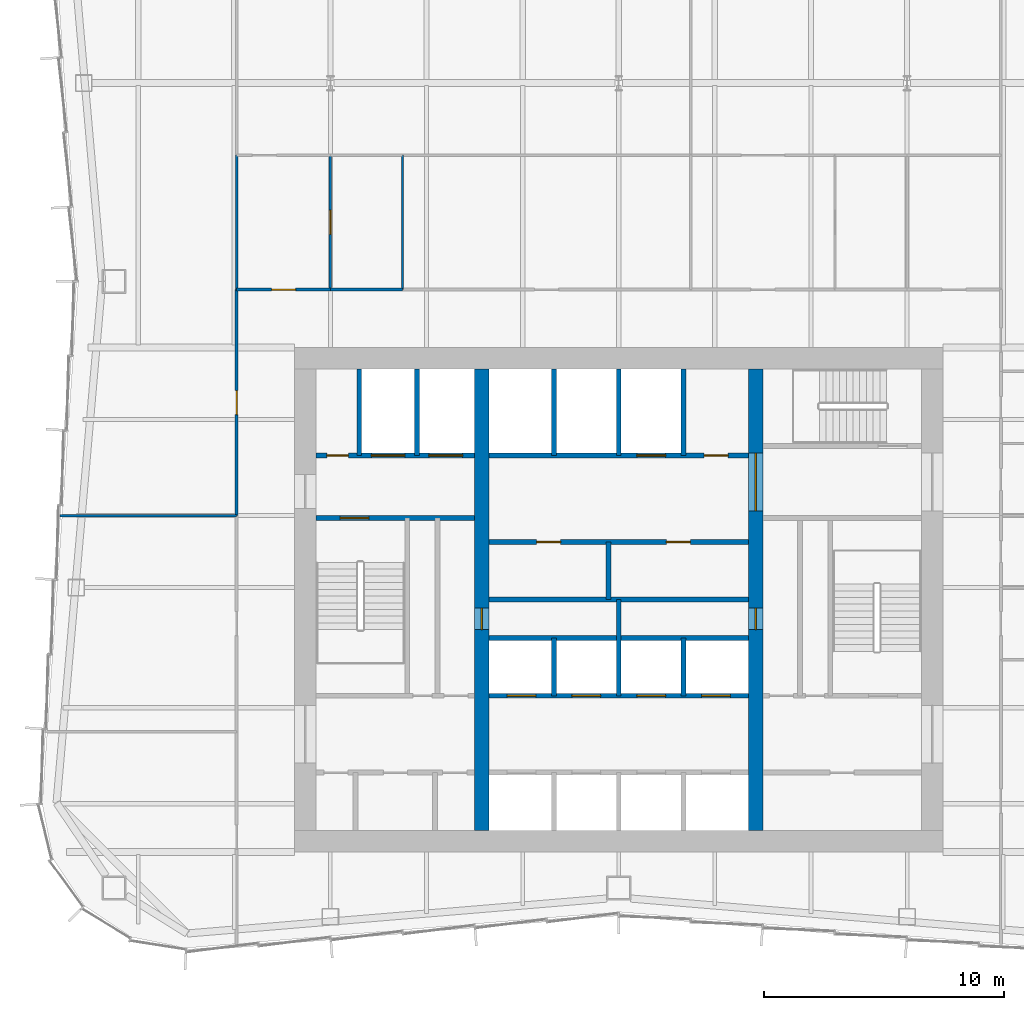
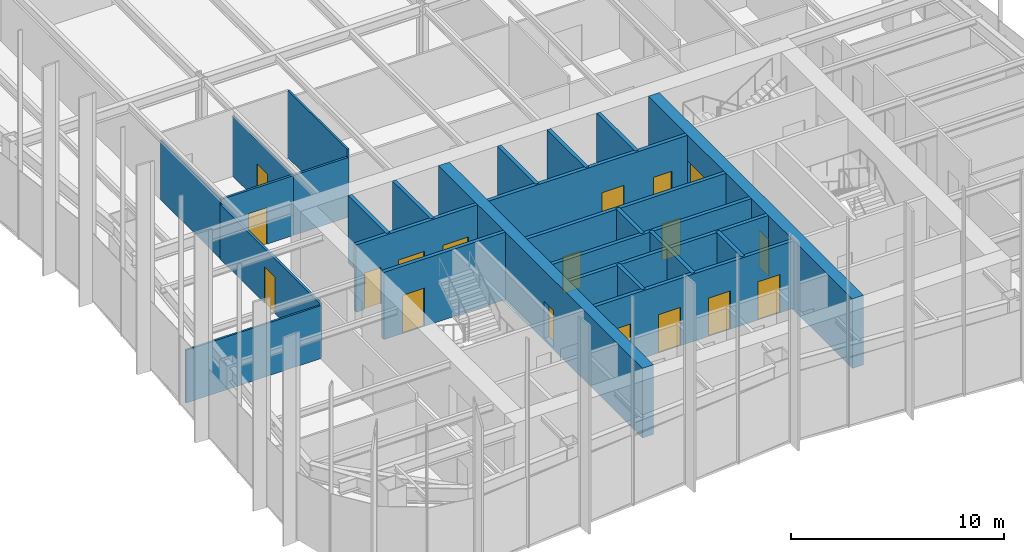
# One storey, part 10 of 13: 25 walls, 18 doors, 18 openings.
"""IFC4 building model written with IfcOpenShell, lengths in metres."""

from ifc_helpers import new_model, si_unit, direction, frame, frame_2d, origin, place, context, subcontext, project, spatial, rectangle, extrude, material, layer, layer_set, type_object, element, fill, save


model = new_model("IFC4")

# Units and contexts
model_context = context("Model", 3, precision=1e-05, world=origin(), true_north=direction((0.0, 1.0)))
body_context = subcontext(model_context, "Body", "Model", "MODEL_VIEW")
ifc_project = project(units=[si_unit("LENGTHUNIT", "METRE"), si_unit("AREAUNIT", "SQUARE_METRE"), si_unit("VOLUMEUNIT", "CUBIC_METRE"), si_unit("PLANEANGLEUNIT", "RADIAN"), si_unit("MASSUNIT", "GRAM", prefix="KILO")], contexts=[model_context])

# Site, building, storey
site_placement = place(None, origin())
site = spatial("IfcSite", under=ifc_project, at=site_placement, CompositionType="ELEMENT")
building_placement = place(site_placement, origin())
building = spatial("IfcBuilding", under=site, at=building_placement, Name="Verdant Reach Tower", CompositionType="ELEMENT")
storey_placement = place(building_placement, frame((0.0, 0.0, 206.0)))
storey = spatial("IfcBuildingStorey", under=building, at=storey_placement, Name="L47", CompositionType="ELEMENT", Elevation=206.0)

# Wall
ifc_material_1 = material(Name="Gypsum board on steel studs", Category="steel")
ifc_layer_1 = layer(ifc_material_1, 0.199951171875)
ifc_layer_set_1 = layer_set([ifc_layer_1], Name="CO-WALL-ROOM")
wall_type_1 = type_object("IfcWallType", Name="CO-WALL-ROOM", PredefinedType="PARTITIONING", material=ifc_layer_set_1)
wall_1_placement = place(storey_placement, frame((-5.39990234375, 28.0, 0.0), z_axis=(0.0, 0.0, 1.0), x_axis=(1.0, 0.0, 0.0)))
element("IfcWall", 1, at=wall_1_placement, inside=storey, type_object=wall_type_1, Name="Core partition, L47", PredefinedType="PARTITIONING", context=body_context, shape_type="SweptSolid", body=[
    extrude(rectangle(XDim=10.7998046875, YDim=0.199951171875, at=frame_2d((5.39990234375, 0.0))), origin(), (0.0, 0.0, 1.0), 3.8701171875),
])

# Wall, openings, doors
wall_2_placement = place(storey_placement, frame((-5.39990234375, 30.39990234375, 0.0), z_axis=(0.0, 0.0, 1.0), x_axis=(1.0, 0.0, 0.0)))
wall_2 = element("IfcWall", 2, at=wall_2_placement, inside=storey, type_object=wall_type_1, Name="Core partition, L47", PredefinedType="PARTITIONING", context=body_context, shape_type="SweptSolid", body=[
    extrude(rectangle(XDim=10.7998046875, YDim=0.199951171875, at=frame_2d((5.39990234375, 0.0))), origin(), (0.0, 0.0, 1.0), 3.8701171875),
])
opening_1_placement = place(wall_2_placement, frame((1.98388671875, 0.0, 0.0)))
opening_1 = element("IfcOpeningElement", 3, at=opening_1_placement, cuts=wall_2, Name="Opening CD", PredefinedType="OPENING", context=body_context, shape_type="SweptSolid", body=[
    extrude(rectangle(XDim=1.0, YDim=2.10009765625, at=frame_2d((0.5, 1.050048828125))), frame((0.0, 0.10986328125, 0.0), z_axis=(0.0, -1.0, 0.0), x_axis=(1.0, 0.0, 0.0)), (0.0, 0.0, 1.0), 0.219970703125),
])
opening_2_placement = place(wall_2_placement, frame((7.384033203125, 0.0, 0.0)))
opening_2 = element("IfcOpeningElement", 4, at=opening_2_placement, cuts=wall_2, Name="Opening CD", PredefinedType="OPENING", context=body_context, shape_type="SweptSolid", body=[
    extrude(rectangle(XDim=1.0, YDim=2.10009765625, at=frame_2d((0.5, 1.050048828125))), frame((0.0, 0.10986328125, 0.0), z_axis=(0.0, -1.0, 0.0), x_axis=(1.0, 0.0, 0.0)), (0.0, 0.0, 1.0), 0.219970703125),
])
ifc_material_2 = material(Name="Timber", Category="wood")
door_type_1 = type_object("IfcDoorType", Name="CO-DOOR-ROOM", OperationType="NOTDEFINED", PredefinedType="DOOR", material=ifc_material_2)
door_1_placement = place(opening_1_placement, origin())
door_1 = element("IfcDoor", 5, at=door_1_placement, inside=storey, type_object=door_type_1, Name="Core room door, L47", OperationType="SINGLE_SWING_LEFT", OverallHeight=2.10009765625, OverallWidth=1.0, PredefinedType="DOOR", context=body_context, shape_type="SweptSolid", body=[
    extrude(rectangle(XDim=1.0, YDim=2.10009765625, at=frame_2d((0.5, 1.050048828125))), frame((0.0, 0.02490234375, 0.0), z_axis=(0.0, -1.0, 0.0), x_axis=(1.0, 0.0, 0.0)), (0.0, 0.0, 1.0), 0.050048828125),
])
fill(opening_1, door_1)
door_2_placement = place(opening_2_placement, origin())
door_2 = element("IfcDoor", 6, at=door_2_placement, inside=storey, type_object=door_type_1, Name="Core room door, L47", OperationType="SINGLE_SWING_RIGHT", OverallHeight=2.10009765625, OverallWidth=1.0, PredefinedType="DOOR", context=body_context, shape_type="SweptSolid", body=[
    extrude(rectangle(XDim=1.0, YDim=2.10009765625, at=frame_2d((0.5, 1.050048828125))), frame((0.0, 0.02490234375, 0.0), z_axis=(0.0, -1.0, 0.0), x_axis=(1.0, 0.0, 0.0)), (0.0, 0.0, 1.0), 0.050048828125),
])
fill(opening_2, door_2)

# Wall
wall_3_placement = place(storey_placement, frame((-0.431884765625, 28.0, 0.0), z_axis=(0.0, 0.0, 1.0), x_axis=(0.0, 1.0, 0.0)))
element("IfcWall", 7, at=wall_3_placement, inside=storey, type_object=wall_type_1, Name="Core partition, L47", PredefinedType="PARTITIONING", context=body_context, shape_type="SweptSolid", body=[
    extrude(rectangle(XDim=2.39990234375, YDim=0.199951171875, at=frame_2d((1.199951171875, 0.0))), origin(), (0.0, 0.0, 1.0), 3.8701171875),
])

# Wall, openings, doors
ifc_material_3 = material(Name="Concrete C40/50", Category="concrete")
ifc_layer_2 = layer(ifc_material_3, 0.199951171875)
ifc_layer_set_2 = layer_set([ifc_layer_2], Name="CO-WALL-SHAFT")
wall_type_2 = type_object("IfcWallType", Name="CO-WALL-SHAFT", PredefinedType="PARTITIONING", material=ifc_layer_set_2)
wall_4_placement = place(storey_placement, frame((-5.39990234375, 24.0, 0.0), z_axis=(0.0, 0.0, 1.0), x_axis=(1.0, 0.0, 0.0)))
wall_4 = element("IfcWall", 8, at=wall_4_placement, inside=storey, type_object=wall_type_2, Name="Lift shaft wall, L47", PredefinedType="PARTITIONING", context=body_context, shape_type="SweptSolid", body=[
    extrude(rectangle(XDim=10.7998046875, YDim=0.199951171875, at=frame_2d((5.39990234375, 0.0))), origin(), (0.0, 0.0, 1.0), 3.8701171875),
])
opening_3_placement = place(wall_4_placement, frame((0.75, 0.0, 0.0)))
opening_3 = element("IfcOpeningElement", 9, at=opening_3_placement, cuts=wall_4, Name="Opening LD-A5", PredefinedType="OPENING", context=body_context, shape_type="SweptSolid", body=[
    extrude(rectangle(XDim=1.199951171875, YDim=2.199951171875, at=frame_2d((0.60009765625, 1.10009765625))), frame((0.0, 0.10986328125, 0.0), z_axis=(0.0, -1.0, 0.0), x_axis=(1.0, 0.0, 0.0)), (0.0, 0.0, 1.0), 0.219970703125),
])
opening_4_placement = place(wall_4_placement, frame((3.449951171875, 0.0, 0.0)))
opening_4 = element("IfcOpeningElement", 10, at=opening_4_placement, cuts=wall_4, Name="Opening LD-A6", PredefinedType="OPENING", context=body_context, shape_type="SweptSolid", body=[
    extrude(rectangle(XDim=1.199951171875, YDim=2.199951171875, at=frame_2d((0.60009765625, 1.10009765625))), frame((0.0, 0.10986328125, 0.0), z_axis=(0.0, -1.0, 0.0), x_axis=(1.0, 0.0, 0.0)), (0.0, 0.0, 1.0), 0.219970703125),
])
opening_5_placement = place(wall_4_placement, frame((6.14990234375, 0.0, 0.0)))
opening_5 = element("IfcOpeningElement", 11, at=opening_5_placement, cuts=wall_4, Name="Opening LD-A7", PredefinedType="OPENING", context=body_context, shape_type="SweptSolid", body=[
    extrude(rectangle(XDim=1.199951171875, YDim=2.199951171875, at=frame_2d((0.60009765625, 1.10009765625))), frame((0.0, 0.10986328125, 0.0), z_axis=(0.0, -1.0, 0.0), x_axis=(1.0, 0.0, 0.0)), (0.0, 0.0, 1.0), 0.219970703125),
])
opening_6_placement = place(wall_4_placement, frame((8.85009765625, 0.0, 0.0)))
opening_6 = element("IfcOpeningElement", 12, at=opening_6_placement, cuts=wall_4, Name="Opening LD-A8", PredefinedType="OPENING", context=body_context, shape_type="SweptSolid", body=[
    extrude(rectangle(XDim=1.199951171875, YDim=2.199951171875, at=frame_2d((0.60009765625, 1.10009765625))), frame((0.0, 0.10986328125, 0.0), z_axis=(0.0, -1.0, 0.0), x_axis=(1.0, 0.0, 0.0)), (0.0, 0.0, 1.0), 0.219970703125),
])
ifc_material_4 = material(Name="Stainless steel", Category="steel")
door_type_2 = type_object("IfcDoorType", Name="CO-DOOR-LANDING", OperationType="SLIDING_TO_LEFT", PredefinedType="DOOR", material=ifc_material_4)
door_3_placement = place(opening_3_placement, origin())
door_3 = element("IfcDoor", 13, at=door_3_placement, inside=storey, type_object=door_type_2, Name="Landing door A5, L47", OperationType="SLIDING_TO_LEFT", OverallHeight=2.199951171875, OverallWidth=1.199951171875, PredefinedType="DOOR", context=body_context, shape_type="SweptSolid", body=[
    extrude(rectangle(XDim=1.199951171875, YDim=2.199951171875, at=frame_2d((0.60009765625, 1.10009765625))), frame((0.0, 0.02490234375, 0.0), z_axis=(0.0, -1.0, 0.0), x_axis=(1.0, 0.0, 0.0)), (0.0, 0.0, 1.0), 0.050048828125),
])
fill(opening_3, door_3)
door_4_placement = place(opening_4_placement, origin())
door_4 = element("IfcDoor", 14, at=door_4_placement, inside=storey, type_object=door_type_2, Name="Landing door A6, L47", OperationType="SLIDING_TO_LEFT", OverallHeight=2.199951171875, OverallWidth=1.199951171875, PredefinedType="DOOR", context=body_context, shape_type="SweptSolid", body=[
    extrude(rectangle(XDim=1.199951171875, YDim=2.199951171875, at=frame_2d((0.60009765625, 1.10009765625))), frame((0.0, 0.02490234375, 0.0), z_axis=(0.0, -1.0, 0.0), x_axis=(1.0, 0.0, 0.0)), (0.0, 0.0, 1.0), 0.050048828125),
])
fill(opening_4, door_4)
door_5_placement = place(opening_5_placement, origin())
door_5 = element("IfcDoor", 15, at=door_5_placement, inside=storey, type_object=door_type_2, Name="Landing door A7, L47", OperationType="SLIDING_TO_LEFT", OverallHeight=2.199951171875, OverallWidth=1.199951171875, PredefinedType="DOOR", context=body_context, shape_type="SweptSolid", body=[
    extrude(rectangle(XDim=1.199951171875, YDim=2.199951171875, at=frame_2d((0.60009765625, 1.10009765625))), frame((0.0, 0.02490234375, 0.0), z_axis=(0.0, -1.0, 0.0), x_axis=(1.0, 0.0, 0.0)), (0.0, 0.0, 1.0), 0.050048828125),
])
fill(opening_5, door_5)
door_6_placement = place(opening_6_placement, origin())
door_6 = element("IfcDoor", 16, at=door_6_placement, inside=storey, type_object=door_type_2, Name="Landing door A8, L47", OperationType="SLIDING_TO_LEFT", OverallHeight=2.199951171875, OverallWidth=1.199951171875, PredefinedType="DOOR", context=body_context, shape_type="SweptSolid", body=[
    extrude(rectangle(XDim=1.199951171875, YDim=2.199951171875, at=frame_2d((0.60009765625, 1.10009765625))), frame((0.0, 0.02490234375, 0.0), z_axis=(0.0, -1.0, 0.0), x_axis=(1.0, 0.0, 0.0)), (0.0, 0.0, 1.0), 0.050048828125),
])
fill(opening_6, door_6)

# Wall
wall_5_placement = place(storey_placement, frame((-5.39990234375, 26.39990234375, 0.0), z_axis=(0.0, 0.0, 1.0), x_axis=(1.0, 0.0, 0.0)))
element("IfcWall", 17, at=wall_5_placement, inside=storey, type_object=wall_type_2, Name="Lift shaft wall, L47", PredefinedType="PARTITIONING", context=body_context, shape_type="SweptSolid", body=[
    extrude(rectangle(XDim=10.7998046875, YDim=0.199951171875, at=frame_2d((5.39990234375, 0.0))), origin(), (0.0, 0.0, 1.0), 3.8701171875),
])

# Wall, openings, doors
wall_6_placement = place(storey_placement, frame((-12.60009765625, 34.0, 0.0), z_axis=(0.0, 0.0, 1.0), x_axis=(1.0, 0.0, 0.0)))
wall_6 = element("IfcWall", 18, at=wall_6_placement, inside=storey, type_object=wall_type_2, Name="Lift shaft wall, L47", PredefinedType="PARTITIONING", context=body_context, shape_type="SweptSolid", body=[
    extrude(rectangle(XDim=6.60009765625, YDim=0.199951171875, at=frame_2d((3.300048828125, 0.0))), origin(), (0.0, 0.0, 1.0), 3.8701171875),
])
opening_7_placement = place(wall_6_placement, frame((4.699951171875, 0.0, 0.0)))
opening_7 = element("IfcOpeningElement", 19, at=opening_7_placement, cuts=wall_6, Name="Opening LD-F1", PredefinedType="OPENING", context=body_context, shape_type="SweptSolid", body=[
    extrude(rectangle(XDim=1.39990234375, YDim=2.199951171875, at=frame_2d((0.699951171875, 1.10009765625))), frame((0.0, 0.10986328125, 0.0), z_axis=(0.0, -1.0, 0.0), x_axis=(1.0, 0.0, 0.0)), (0.0, 0.0, 1.0), 0.219970703125),
])
opening_8_placement = place(wall_6_placement, frame((2.300048828125, 0.0, 0.0)))
opening_8 = element("IfcOpeningElement", 20, at=opening_8_placement, cuts=wall_6, Name="Opening LD-F2", PredefinedType="OPENING", context=body_context, shape_type="SweptSolid", body=[
    extrude(rectangle(XDim=1.39990234375, YDim=2.199951171875, at=frame_2d((0.699951171875, 1.10009765625))), frame((0.0, 0.10986328125, 0.0), z_axis=(0.0, -1.0, 0.0), x_axis=(1.0, 0.0, 0.0)), (0.0, 0.0, 1.0), 0.219970703125),
])
opening_9_placement = place(wall_6_placement, frame((0.449951171875, 0.0, 0.0)))
opening_9 = element("IfcOpeningElement", 21, at=opening_9_placement, cuts=wall_6, Name="Opening RD", PredefinedType="OPENING", context=body_context, shape_type="SweptSolid", body=[
    extrude(rectangle(XDim=0.89990234375, YDim=2.10009765625, at=frame_2d((0.449951171875, 1.050048828125))), frame((0.0, 0.10986328125, 0.0), z_axis=(0.0, -1.0, 0.0), x_axis=(1.0, 0.0, 0.0)), (0.0, 0.0, 1.0), 0.219970703125),
])
door_type_3 = type_object("IfcDoorType", Name="CO-DOOR-LANDING-FF", OperationType="SLIDING_TO_LEFT", PredefinedType="DOOR", material=ifc_material_4)
door_7_placement = place(opening_7_placement, origin())
door_7 = element("IfcDoor", 22, at=door_7_placement, inside=storey, type_object=door_type_3, Name="Landing door F1, L47", OperationType="SLIDING_TO_LEFT", OverallHeight=2.199951171875, OverallWidth=1.39990234375, PredefinedType="DOOR", context=body_context, shape_type="SweptSolid", body=[
    extrude(rectangle(XDim=1.39990234375, YDim=2.199951171875, at=frame_2d((0.699951171875, 1.10009765625))), frame((0.0, 0.02490234375, 0.0), z_axis=(0.0, -1.0, 0.0), x_axis=(1.0, 0.0, 0.0)), (0.0, 0.0, 1.0), 0.050048828125),
])
fill(opening_7, door_7)
door_8_placement = place(opening_8_placement, origin())
door_8 = element("IfcDoor", 23, at=door_8_placement, inside=storey, type_object=door_type_3, Name="Landing door F2, L47", OperationType="SLIDING_TO_LEFT", OverallHeight=2.199951171875, OverallWidth=1.39990234375, PredefinedType="DOOR", context=body_context, shape_type="SweptSolid", body=[
    extrude(rectangle(XDim=1.39990234375, YDim=2.199951171875, at=frame_2d((0.699951171875, 1.10009765625))), frame((0.0, 0.02490234375, 0.0), z_axis=(0.0, -1.0, 0.0), x_axis=(1.0, 0.0, 0.0)), (0.0, 0.0, 1.0), 0.050048828125),
])
fill(opening_8, door_8)
ifc_material_5 = material(Name="Steel", Category="steel")
door_type_4 = type_object("IfcDoorType", Name="CO-DOOR-RISER", OperationType="NOTDEFINED", PredefinedType="DOOR", material=ifc_material_5)
door_9_placement = place(opening_9_placement, origin())
door_9 = element("IfcDoor", 24, at=door_9_placement, inside=storey, type_object=door_type_4, Name="Core room door, L47", OperationType="SINGLE_SWING_RIGHT", OverallHeight=2.10009765625, OverallWidth=0.89990234375, PredefinedType="DOOR", context=body_context, shape_type="SweptSolid", body=[
    extrude(rectangle(XDim=0.89990234375, YDim=2.10009765625, at=frame_2d((0.449951171875, 1.050048828125))), frame((0.0, 0.02490234375, 0.0), z_axis=(0.0, -1.0, 0.0), x_axis=(1.0, 0.0, 0.0)), (0.0, 0.0, 1.0), 0.050048828125),
])
fill(opening_9, door_9)

wall_7_placement = place(storey_placement, frame((-5.39990234375, 34.0, 0.0), z_axis=(0.0, 0.0, 1.0), x_axis=(1.0, 0.0, 0.0)))
wall_7 = element("IfcWall", 25, at=wall_7_placement, inside=storey, type_object=wall_type_2, Name="Lift shaft wall, L47", PredefinedType="PARTITIONING", context=body_context, shape_type="SweptSolid", body=[
    extrude(rectangle(XDim=10.7998046875, YDim=0.199951171875, at=frame_2d((5.39990234375, 0.0))), origin(), (0.0, 0.0, 1.0), 3.8701171875),
])
opening_10_placement = place(wall_7_placement, frame((6.14990234375, 0.0, 0.0)))
opening_10 = element("IfcOpeningElement", 26, at=opening_10_placement, cuts=wall_7, Name="Opening LD-SL1", PredefinedType="OPENING", context=body_context, shape_type="SweptSolid", body=[
    extrude(rectangle(XDim=1.199951171875, YDim=2.199951171875, at=frame_2d((0.60009765625, 1.10009765625))), frame((0.0, 0.10986328125, 0.0), z_axis=(0.0, -1.0, 0.0), x_axis=(1.0, 0.0, 0.0)), (0.0, 0.0, 1.0), 0.219970703125),
])
opening_11_placement = place(wall_7_placement, frame((8.949951171875, 0.0, 0.0)))
opening_11 = element("IfcOpeningElement", 27, at=opening_11_placement, cuts=wall_7, Name="Opening CD", PredefinedType="OPENING", context=body_context, shape_type="SweptSolid", body=[
    extrude(rectangle(XDim=1.0, YDim=2.10009765625, at=frame_2d((0.5, 1.050048828125))), frame((0.0, 0.10986328125, 0.0), z_axis=(0.0, -1.0, 0.0), x_axis=(1.0, 0.0, 0.0)), (0.0, 0.0, 1.0), 0.219970703125),
])
door_10_placement = place(opening_10_placement, origin())
door_10 = element("IfcDoor", 28, at=door_10_placement, inside=storey, type_object=door_type_2, Name="Landing door SL1, L47", OperationType="SLIDING_TO_LEFT", OverallHeight=2.199951171875, OverallWidth=1.199951171875, PredefinedType="DOOR", context=body_context, shape_type="SweptSolid", body=[
    extrude(rectangle(XDim=1.199951171875, YDim=2.199951171875, at=frame_2d((0.60009765625, 1.10009765625))), frame((0.0, 0.02490234375, 0.0), z_axis=(0.0, -1.0, 0.0), x_axis=(1.0, 0.0, 0.0)), (0.0, 0.0, 1.0), 0.050048828125),
])
fill(opening_10, door_10)
door_11_placement = place(opening_11_placement, origin())
door_11 = element("IfcDoor", 29, at=door_11_placement, inside=storey, type_object=door_type_1, Name="Core room door, L47", OperationType="SINGLE_SWING_LEFT", OverallHeight=2.10009765625, OverallWidth=1.0, PredefinedType="DOOR", context=body_context, shape_type="SweptSolid", body=[
    extrude(rectangle(XDim=1.0, YDim=2.10009765625, at=frame_2d((0.5, 1.050048828125))), frame((0.0, 0.02490234375, 0.0), z_axis=(0.0, -1.0, 0.0), x_axis=(1.0, 0.0, 0.0)), (0.0, 0.0, 1.0), 0.050048828125),
])
fill(opening_11, door_11)

# Walls
for number, where, z_axis, x_axis, name in (
    (30, (-10.800048828125, 34.0, 0.0), (0.0, 0.0, 1.0), (0.0, 1.0, 0.0), "Lift shaft wall, L47"),
    (31, (-8.39990234375, 34.0, 0.0), (0.0, 0.0, 1.0), (0.0, 1.0, 0.0), "Lift shaft wall, L47"),
):
    element("IfcWall", number, at=place(storey_placement, frame(where, z_axis=z_axis, x_axis=x_axis)), inside=storey, type_object=wall_type_2, Name=name, PredefinedType="PARTITIONING", context=body_context, shape_type="SweptSolid", body=[
        extrude(rectangle(XDim=3.60009765625, YDim=0.199951171875, at=frame_2d((1.800048828125, 0.0))), origin(), (0.0, 0.0, 1.0), 3.8701171875),
    ])
wall_8_placement = place(storey_placement, frame((-2.699951171875, 24.0, 0.0), z_axis=(0.0, 0.0, 1.0), x_axis=(0.0, 1.0, 0.0)))
element("IfcWall", 32, at=wall_8_placement, inside=storey, type_object=wall_type_2, Name="Lift shaft wall, L47", PredefinedType="PARTITIONING", context=body_context, shape_type="SweptSolid", body=[
    extrude(rectangle(XDim=2.39990234375, YDim=0.199951171875, at=frame_2d((1.199951171875, 0.0))), origin(), (0.0, 0.0, 1.0), 3.8701171875),
])
wall_9_placement = place(storey_placement, frame((-2.699951171875, 34.0, 0.0), z_axis=(0.0, 0.0, 1.0), x_axis=(0.0, 1.0, 0.0)))
element("IfcWall", 33, at=wall_9_placement, inside=storey, type_object=wall_type_2, Name="Lift shaft wall, L47", PredefinedType="PARTITIONING", context=body_context, shape_type="SweptSolid", body=[
    extrude(rectangle(XDim=3.60009765625, YDim=0.199951171875, at=frame_2d((1.800048828125, 0.0))), origin(), (0.0, 0.0, 1.0), 3.8701171875),
])
wall_10_placement = place(storey_placement, frame((0.0, 24.0, 0.0), z_axis=(0.0, 0.0, 1.0), x_axis=(0.0, 1.0, 0.0)))
element("IfcWall", 34, at=wall_10_placement, inside=storey, type_object=wall_type_2, Name="Lift shaft wall, L47", PredefinedType="PARTITIONING", context=body_context, shape_type="SweptSolid", body=[
    extrude(rectangle(XDim=4.0, YDim=0.199951171875, at=frame_2d((2.0, 0.0))), origin(), (0.0, 0.0, 1.0), 3.8701171875),
])
wall_11_placement = place(storey_placement, frame((0.0, 34.0, 0.0), z_axis=(0.0, 0.0, 1.0), x_axis=(0.0, 1.0, 0.0)))
element("IfcWall", 35, at=wall_11_placement, inside=storey, type_object=wall_type_2, Name="Lift shaft wall, L47", PredefinedType="PARTITIONING", context=body_context, shape_type="SweptSolid", body=[
    extrude(rectangle(XDim=3.60009765625, YDim=0.199951171875, at=frame_2d((1.800048828125, 0.0))), origin(), (0.0, 0.0, 1.0), 3.8701171875),
])
wall_12_placement = place(storey_placement, frame((2.699951171875, 24.0, 0.0), z_axis=(0.0, 0.0, 1.0), x_axis=(0.0, 1.0, 0.0)))
element("IfcWall", 36, at=wall_12_placement, inside=storey, type_object=wall_type_2, Name="Lift shaft wall, L47", PredefinedType="PARTITIONING", context=body_context, shape_type="SweptSolid", body=[
    extrude(rectangle(XDim=2.39990234375, YDim=0.199951171875, at=frame_2d((1.199951171875, 0.0))), origin(), (0.0, 0.0, 1.0), 3.8701171875),
])
wall_13_placement = place(storey_placement, frame((2.699951171875, 34.0, 0.0), z_axis=(0.0, 0.0, 1.0), x_axis=(0.0, 1.0, 0.0)))
element("IfcWall", 37, at=wall_13_placement, inside=storey, type_object=wall_type_2, Name="Lift shaft wall, L47", PredefinedType="PARTITIONING", context=body_context, shape_type="SweptSolid", body=[
    extrude(rectangle(XDim=3.60009765625, YDim=0.199951171875, at=frame_2d((1.800048828125, 0.0))), origin(), (0.0, 0.0, 1.0), 3.8701171875),
])

# Wall, opening, door
ifc_layer_3 = layer(ifc_material_3, 0.199951171875)
ifc_layer_set_3 = layer_set([ifc_layer_3], Name="CO-WALL-STAIR")
wall_type_3 = type_object("IfcWallType", Name="CO-WALL-STAIR", PredefinedType="PARTITIONING", material=ifc_layer_set_3)
wall_14_placement = place(storey_placement, frame((-12.60009765625, 31.39990234375, 0.0), z_axis=(0.0, 0.0, 1.0), x_axis=(1.0, 0.0, 0.0)))
wall_14 = element("IfcWall", 38, at=wall_14_placement, inside=storey, type_object=wall_type_3, Name="Stair enclosure wall, L47", PredefinedType="PARTITIONING", context=body_context, shape_type="SweptSolid", body=[
    extrude(rectangle(XDim=6.60009765625, YDim=0.199951171875, at=frame_2d((3.300048828125, 0.0))), origin(), (0.0, 0.0, 1.0), 3.8701171875),
])
opening_12_placement = place(wall_14_placement, frame((1.0, 0.0, 0.0)))
opening_12 = element("IfcOpeningElement", 39, at=opening_12_placement, cuts=wall_14, Name="Opening SD", PredefinedType="OPENING", context=body_context, shape_type="SweptSolid", body=[
    extrude(rectangle(XDim=1.199951171875, YDim=2.199951171875, at=frame_2d((0.60009765625, 1.10009765625))), frame((0.0, 0.10986328125, 0.0), z_axis=(0.0, -1.0, 0.0), x_axis=(1.0, 0.0, 0.0)), (0.0, 0.0, 1.0), 0.219970703125),
])
door_type_5 = type_object("IfcDoorType", Name="CO-DOOR-STAIR", OperationType="NOTDEFINED", PredefinedType="DOOR", material=ifc_material_5)
door_12_placement = place(opening_12_placement, origin())
door_12 = element("IfcDoor", 40, at=door_12_placement, inside=storey, type_object=door_type_5, Name="Stair door, L47", OperationType="SINGLE_SWING_LEFT", OverallHeight=2.199951171875, OverallWidth=1.199951171875, PredefinedType="DOOR", context=body_context, shape_type="SweptSolid", body=[
    extrude(rectangle(XDim=1.199951171875, YDim=2.199951171875, at=frame_2d((0.60009765625, 1.10009765625))), frame((0.0, 0.02490234375, 0.0), z_axis=(0.0, -1.0, 0.0), x_axis=(1.0, 0.0, 0.0)), (0.0, 0.0, 1.0), 0.050048828125),
])
fill(opening_12, door_12)

ifc_layer_4 = layer(ifc_material_1, 0.10009765625)
ifc_layer_set_4 = layer_set([ifc_layer_4], Name="FL-W1 Partition 100")
wall_type_4 = type_object("IfcWallType", Name="FL-W1 Partition 100", PredefinedType="PARTITIONING", material=ifc_layer_set_4)
wall_15_placement = place(storey_placement, frame((-12.0, 46.5, 0.0), z_axis=(0.0, 0.0, 1.0), x_axis=(0.0, -1.0, 0.0)))
wall_15 = element("IfcWall", 41, at=wall_15_placement, inside=storey, type_object=wall_type_4, Name="Partition 47.16", PredefinedType="PARTITIONING", context=body_context, shape_type="SweptSolid", body=[
    extrude(rectangle(XDim=5.60009765625, YDim=0.10009765625, at=frame_2d((2.800048828125, 0.0))), origin(), (0.0, 0.0, 1.0), 3.43994140625),
])
opening_13_placement = place(wall_15_placement, frame((2.300048828125, 0.0, 0.0)))
opening_13 = element("IfcOpeningElement", 42, at=opening_13_placement, cuts=wall_15, Name="Opening D3", PredefinedType="OPENING", context=body_context, shape_type="SweptSolid", body=[
    extrude(rectangle(XDim=1.0, YDim=2.10009765625, at=frame_2d((0.5, 1.050048828125))), frame((0.0, 0.06005859375, 0.0), z_axis=(0.0, -1.0, 0.0), x_axis=(1.0, 0.0, 0.0)), (0.0, 0.0, 1.0), 0.1201171875),
])
ifc_material_6 = material(Name="Painted timber door leaf", Category="wood")
door_type_6 = type_object("IfcDoorType", Name="FL-D3 Door 1000x2100", OperationType="NOTDEFINED", PredefinedType="DOOR", material=ifc_material_6)
door_13_placement = place(opening_13_placement, origin())
door_13 = element("IfcDoor", 43, at=door_13_placement, inside=storey, type_object=door_type_6, Name="Door 47-014", OperationType="SINGLE_SWING_RIGHT", OverallHeight=2.10009765625, OverallWidth=1.0, PredefinedType="DOOR", context=body_context, shape_type="SweptSolid", body=[
    extrude(rectangle(XDim=1.0, YDim=2.10009765625, at=frame_2d((0.5, 1.050048828125))), frame((0.0, 0.02490234375, 0.0), z_axis=(0.0, -1.0, 0.0), x_axis=(1.0, 0.0, 0.0)), (0.0, 0.0, 1.0), 0.050048828125),
])
fill(opening_13, door_13)

# Walls
wall_16_placement = place(storey_placement, frame((-15.89990234375, 46.50390625, 0.0), z_axis=(0.0, 0.0, 1.0), x_axis=(0.0, -1.0, 0.0)))
element("IfcWall", 44, at=wall_16_placement, inside=storey, type_object=wall_type_4, Name="Partition 47.18", PredefinedType="PARTITIONING", context=body_context, shape_type="SweptSolid", body=[
    extrude(rectangle(XDim=5.60791015625, YDim=0.10009765625, at=frame_2d((2.803955078125, 0.0))), origin(), (0.0, 0.0, 1.0), 3.43994140625),
])
wall_17_placement = place(storey_placement, frame((-9.0, 40.89990234375, 0.0), z_axis=(0.0, 0.0, 1.0), x_axis=(0.0, 1.0, 0.0)))
element("IfcWall", 45, at=wall_17_placement, inside=storey, type_object=wall_type_4, Name="Partition 47.19", PredefinedType="PARTITIONING", context=body_context, shape_type="SweptSolid", body=[
    extrude(rectangle(XDim=5.60009765625, YDim=0.10009765625, at=frame_2d((2.800048828125, 0.0))), origin(), (0.0, 0.0, 1.0), 3.8701171875),
])
wall_18_placement = place(storey_placement, frame((-15.89990234375, 31.5, 0.0), z_axis=(0.0, 0.0, 1.0), x_axis=(-1.0, 0.0, 0.0)))
element("IfcWall", 46, at=wall_18_placement, inside=storey, type_object=wall_type_4, Name="Partition 47.41", PredefinedType="PARTITIONING", context=body_context, shape_type="SweptSolid", body=[
    extrude(rectangle(XDim=7.3525390625, YDim=0.10009765625, at=frame_2d((3.67626953125, 0.0))), origin(), (0.0, 0.0, 1.0), 3.0400390625),
])

# Wall, opening, door
ifc_material_7 = material(Name="Gypsum board on steel studs, fire rated", Category="steel")
ifc_layer_5 = layer(ifc_material_7, 0.125)
ifc_layer_set_5 = layer_set([ifc_layer_5], Name="FL-W2 Corridor wall 125")
wall_type_5 = type_object("IfcWallType", Name="FL-W2 Corridor wall 125", PredefinedType="PARTITIONING", material=ifc_layer_set_5)
wall_19_placement = place(storey_placement, frame((-15.89990234375, 40.89990234375, 0.0), z_axis=(0.0, 0.0, 1.0), x_axis=(1.0, 0.0, 0.0)))
wall_19 = element("IfcWall", 47, at=wall_19_placement, inside=storey, type_object=wall_type_5, Name="Partition 47.01", PredefinedType="PARTITIONING", context=body_context, shape_type="SweptSolid", body=[
    extrude(rectangle(XDim=3.89990234375, YDim=0.125, at=frame_2d((1.949951171875, 0.0))), origin(), (0.0, 0.0, 1.0), 3.43994140625),
])
opening_14_placement = place(wall_19_placement, frame((1.449951171875, 0.0, 0.0)))
opening_14 = element("IfcOpeningElement", 48, at=opening_14_placement, cuts=wall_19, Name="Opening D2", PredefinedType="OPENING", context=body_context, shape_type="SweptSolid", body=[
    extrude(rectangle(XDim=1.0, YDim=2.10009765625, at=frame_2d((0.5, 1.050048828125))), frame((0.0, 0.072509765625, 0.0), z_axis=(0.0, -1.0, 0.0), x_axis=(1.0, 0.0, 0.0)), (0.0, 0.0, 1.0), 0.14501953125),
])
ifc_material_8 = material(Name="Timber door leaf, fire rated", Category="wood")
door_type_7 = type_object("IfcDoorType", Name="FL-D2 Entrance door 1000x2100 FD30", OperationType="NOTDEFINED", PredefinedType="DOOR", material=ifc_material_8)
door_14_placement = place(opening_14_placement, origin())
door_14 = element("IfcDoor", 49, at=door_14_placement, inside=storey, type_object=door_type_7, Name="Door 47-001", OperationType="SINGLE_SWING_LEFT", OverallHeight=2.10009765625, OverallWidth=1.0, PredefinedType="DOOR", context=body_context, shape_type="SweptSolid", body=[
    extrude(rectangle(XDim=1.0, YDim=2.10009765625, at=frame_2d((0.5, 1.050048828125))), frame((0.0, 0.02490234375, 0.0), z_axis=(0.0, -1.0, 0.0), x_axis=(1.0, 0.0, 0.0)), (0.0, 0.0, 1.0), 0.050048828125),
])
fill(opening_14, door_14)

# Wall
wall_20_placement = place(storey_placement, frame((-9.0, 40.89990234375, 0.0), z_axis=(0.0, 0.0, 1.0), x_axis=(-1.0, 0.0, 0.0)))
element("IfcWall", 50, at=wall_20_placement, inside=storey, type_object=wall_type_5, Name="Partition 47.02", PredefinedType="PARTITIONING", context=body_context, shape_type="SweptSolid", body=[
    extrude(rectangle(XDim=3.0, YDim=0.125, at=frame_2d((1.5, 0.0))), origin(), (0.0, 0.0, 1.0), 3.43994140625),
])

# Wall, opening, door
wall_21_placement = place(storey_placement, frame((-15.89990234375, 31.5, 0.0), z_axis=(0.0, 0.0, 1.0), x_axis=(0.0, 1.0, 0.0)))
wall_21 = element("IfcWall", 51, at=wall_21_placement, inside=storey, type_object=wall_type_5, Name="Partition 47.09", PredefinedType="PARTITIONING", context=body_context, shape_type="SweptSolid", body=[
    extrude(rectangle(XDim=9.404052734375, YDim=0.125, at=frame_2d((4.7021484375, 0.0))), origin(), (0.0, 0.0, 1.0), 3.139892578125),
])
opening_15_placement = place(wall_21_placement, frame((4.201904296875, 0.0, 0.0)))
opening_15 = element("IfcOpeningElement", 52, at=opening_15_placement, cuts=wall_21, Name="Opening D2", PredefinedType="OPENING", context=body_context, shape_type="SweptSolid", body=[
    extrude(rectangle(XDim=1.0, YDim=2.10009765625, at=frame_2d((0.5, 1.050048828125))), frame((0.0, 0.072509765625, 0.0), z_axis=(0.0, -1.0, 0.0), x_axis=(1.0, 0.0, 0.0)), (0.0, 0.0, 1.0), 0.14501953125),
])
door_15_placement = place(opening_15_placement, origin())
door_15 = element("IfcDoor", 53, at=door_15_placement, inside=storey, type_object=door_type_7, Name="Door 47-007", OperationType="SINGLE_SWING_LEFT", OverallHeight=2.10009765625, OverallWidth=1.0, PredefinedType="DOOR", context=body_context, shape_type="SweptSolid", body=[
    extrude(rectangle(XDim=1.0, YDim=2.10009765625, at=frame_2d((0.5, 1.050048828125))), frame((0.0, 0.02490234375, 0.0), z_axis=(0.0, -1.0, 0.0), x_axis=(1.0, 0.0, 0.0)), (0.0, 0.0, 1.0), 0.050048828125),
])
fill(opening_15, door_15)

ifc_material_9 = material(Name="Concrete C70/85", Category="concrete")
ifc_layer_6 = layer(ifc_material_9, 0.60009765625)
ifc_layer_set_6 = layer_set([ifc_layer_6], Name="ST-CORE-WALL-600")
wall_type_6 = type_object("IfcWallType", Name="ST-CORE-WALL-600", PredefinedType="SHEAR", material=ifc_layer_set_6)
wall_22_placement = place(storey_placement, frame((-5.699951171875, 18.39990234375, -0.1298828125), z_axis=(0.0, 0.0, 1.0), x_axis=(0.0, 1.0, 0.0)))
wall_22 = element("IfcWall", 54, at=wall_22_placement, inside=storey, type_object=wall_type_6, Name="Core wall XW, L47", PredefinedType="SHEAR", context=body_context, shape_type="SweptSolid", body=[
    extrude(rectangle(XDim=19.2001953125, YDim=0.60009765625, at=frame_2d((9.60009765625, 0.0))), origin(), (0.0, 0.0, 1.0), 4.0),
])
opening_16_placement = place(wall_22_placement, frame((8.35009765625, 0.0, 0.1298828125)))
opening_16 = element("IfcOpeningElement", 55, at=opening_16_placement, cuts=wall_22, Name="Opening RD", PredefinedType="OPENING", context=body_context, shape_type="SweptSolid", body=[
    extrude(rectangle(XDim=0.89990234375, YDim=2.10009765625, at=frame_2d((0.449951171875, 1.050048828125))), frame((0.0, 0.31005859375, 0.0), z_axis=(0.0, -1.0, 0.0), x_axis=(1.0, 0.0, 0.0)), (0.0, 0.0, 1.0), 0.6201171875),
])
door_16_placement = place(opening_16_placement, origin())
door_16 = element("IfcDoor", 56, at=door_16_placement, inside=storey, type_object=door_type_4, Name="Riser door, L47", OperationType="SINGLE_SWING_RIGHT", OverallHeight=2.10009765625, OverallWidth=0.89990234375, PredefinedType="DOOR", context=body_context, shape_type="SweptSolid", body=[
    extrude(rectangle(XDim=0.89990234375, YDim=2.10009765625, at=frame_2d((0.449951171875, 1.050048828125))), frame((0.0, 0.02490234375, 0.0), z_axis=(0.0, -1.0, 0.0), x_axis=(1.0, 0.0, 0.0)), (0.0, 0.0, 1.0), 0.050048828125),
])
fill(opening_16, door_16)

# Wall, openings, doors
wall_23_placement = place(storey_placement, frame((5.699951171875, 18.39990234375, -0.1298828125), z_axis=(0.0, 0.0, 1.0), x_axis=(0.0, 1.0, 0.0)))
wall_23 = element("IfcWall", 57, at=wall_23_placement, inside=storey, type_object=wall_type_6, Name="Core wall XE, L47", PredefinedType="SHEAR", context=body_context, shape_type="SweptSolid", body=[
    extrude(rectangle(XDim=19.2001953125, YDim=0.60009765625, at=frame_2d((9.60009765625, 0.0))), origin(), (0.0, 0.0, 1.0), 4.0),
])
opening_17_placement = place(wall_23_placement, frame((8.35009765625, 0.0, 0.1298828125)))
opening_17 = element("IfcOpeningElement", 58, at=opening_17_placement, cuts=wall_23, Name="Opening RD", PredefinedType="OPENING", context=body_context, shape_type="SweptSolid", body=[
    extrude(rectangle(XDim=0.89990234375, YDim=2.10009765625, at=frame_2d((0.449951171875, 1.050048828125))), frame((0.0, 0.31005859375, 0.0), z_axis=(0.0, -1.0, 0.0), x_axis=(1.0, 0.0, 0.0)), (0.0, 0.0, 1.0), 0.6201171875),
])
opening_18_placement = place(wall_23_placement, frame((13.300048828125, 0.0, 0.1298828125)))
opening_18 = element("IfcOpeningElement", 59, at=opening_18_placement, cuts=wall_23, Name="Opening LB", PredefinedType="OPENING", context=body_context, shape_type="SweptSolid", body=[
    extrude(rectangle(XDim=2.39990234375, YDim=2.39990234375, at=frame_2d((1.199951171875, 1.199951171875))), frame((0.0, 0.31005859375, 0.0), z_axis=(0.0, -1.0, 0.0), x_axis=(1.0, 0.0, 0.0)), (0.0, 0.0, 1.0), 0.6201171875),
])
ifc_material_10 = material(Name="Glass and steel", Category="steel")
door_type_8 = type_object("IfcDoorType", Name="CO-DOOR-LOBBY", OperationType="DOUBLE_DOOR_SINGLE_SWING", PredefinedType="DOOR", material=ifc_material_10)
door_17_placement = place(opening_18_placement, origin())
door_17 = element("IfcDoor", 60, at=door_17_placement, inside=storey, type_object=door_type_8, Name="Core entrance door, L47", OperationType="DOUBLE_DOOR_SINGLE_SWING", OverallHeight=2.39990234375, OverallWidth=2.39990234375, PredefinedType="DOOR", context=body_context, shape_type="SweptSolid", body=[
    extrude(rectangle(XDim=2.39990234375, YDim=2.39990234375, at=frame_2d((1.199951171875, 1.199951171875))), frame((0.0, 0.02490234375, 0.0), z_axis=(0.0, -1.0, 0.0), x_axis=(1.0, 0.0, 0.0)), (0.0, 0.0, 1.0), 0.050048828125),
])
fill(opening_18, door_17)
door_18_placement = place(opening_17_placement, origin())
door_18 = element("IfcDoor", 61, at=door_18_placement, inside=storey, type_object=door_type_4, Name="Riser door, L47", OperationType="SINGLE_SWING_LEFT", OverallHeight=2.10009765625, OverallWidth=0.89990234375, PredefinedType="DOOR", context=body_context, shape_type="SweptSolid", body=[
    extrude(rectangle(XDim=0.89990234375, YDim=2.10009765625, at=frame_2d((0.449951171875, 1.050048828125))), frame((0.0, 0.02490234375, 0.0), z_axis=(0.0, -1.0, 0.0), x_axis=(1.0, 0.0, 0.0)), (0.0, 0.0, 1.0), 0.050048828125),
])
fill(opening_17, door_18)

save(model, "model.ifc")
